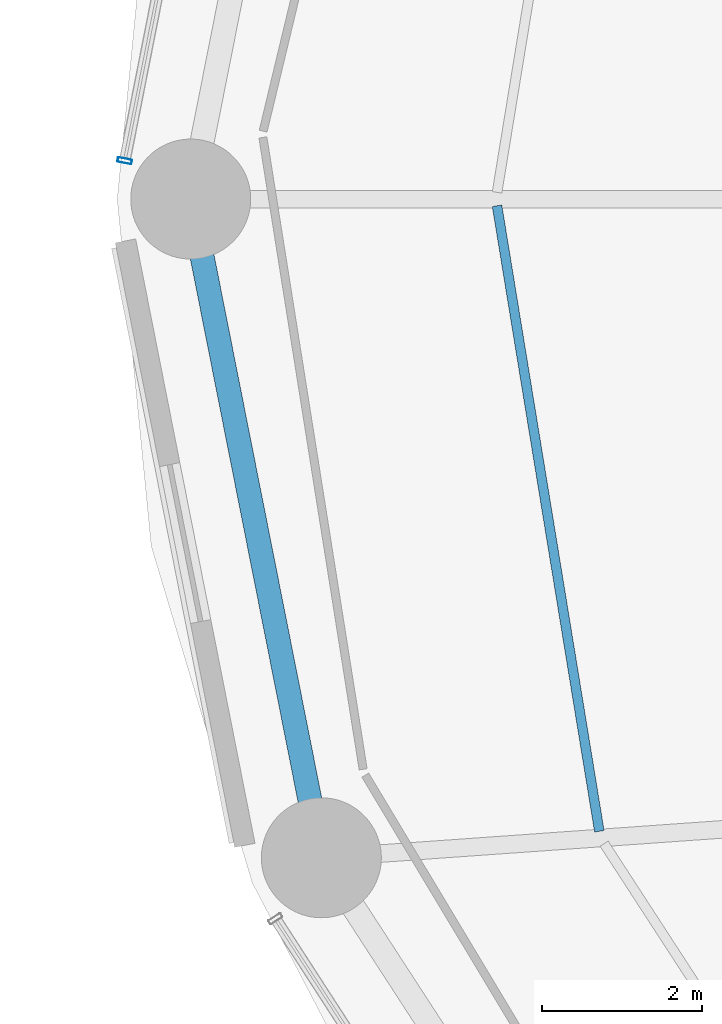
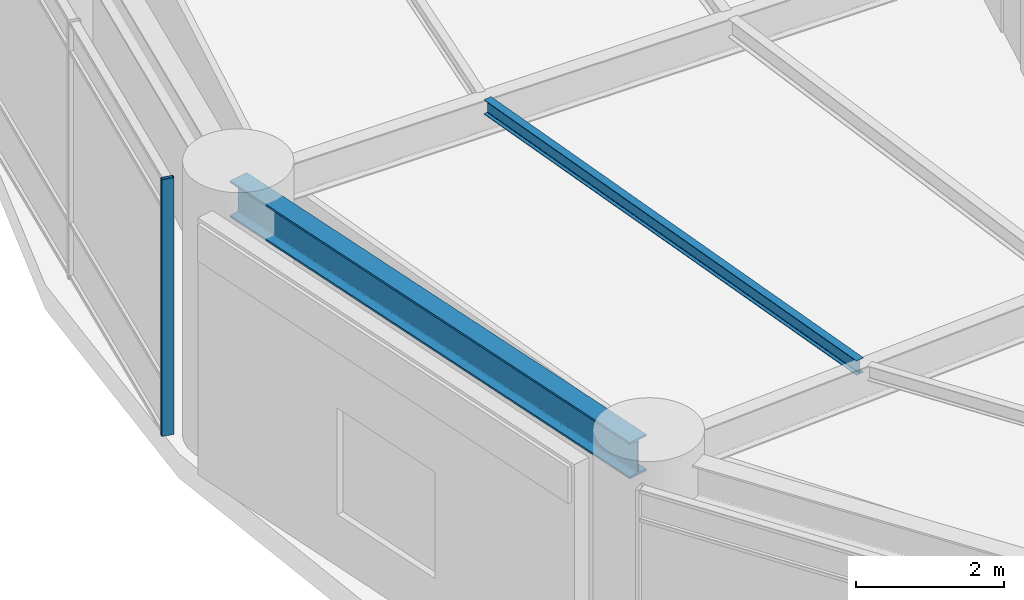
# One storey, part 12 of 46: 2 beams, 1 member, 1 element without a shape of its own.
"""IFC4 building model written with IfcOpenShell, lengths in metres."""

from ifc_helpers import new_model, si_unit, direction, frame, origin, origin_2d, place, context, subcontext, project, spatial, hollow_rectangle, i_section, extrude, material, layer, layer_set, material_profile, profile_set, type_object, element, aggregate, save


model = new_model("IFC4")

# Units and contexts
model_context = context("Model", 3, precision=1e-05, world=origin(), true_north=direction((0.0, 1.0)))
body_context = subcontext(model_context, "Body", "Model", "MODEL_VIEW")
ifc_project = project(units=[si_unit("LENGTHUNIT", "METRE"), si_unit("AREAUNIT", "SQUARE_METRE"), si_unit("VOLUMEUNIT", "CUBIC_METRE"), si_unit("PLANEANGLEUNIT", "RADIAN"), si_unit("MASSUNIT", "GRAM", prefix="KILO")], contexts=[model_context])

# Site, building, storey
site_placement = place(None, origin())
site = spatial("IfcSite", under=ifc_project, at=site_placement, CompositionType="ELEMENT")
building_placement = place(site_placement, origin())
building = spatial("IfcBuilding", under=site, at=building_placement, Name="Kelanora Arch Commons", CompositionType="ELEMENT")
storey_placement = place(building_placement, frame((0.0, 0.0, 18.0)))
storey = spatial("IfcBuildingStorey", under=building, at=storey_placement, Name="L04", CompositionType="ELEMENT", Elevation=18.0)

# Beams
ifc_material_1 = material(Name="Steel S355", Category="steel")
ifc_material_profile_1 = material_profile(ifc_material_1, i_section(OverallWidth=0.1201171875, OverallDepth=0.239990234375, WebThickness=0.006103515625, FlangeThickness=0.009765625, FilletRadius=0.014892578125, at=origin_2d()), Name="IPE240")
ifc_profile_set_1 = profile_set([ifc_material_profile_1], Name="Steel S355")
beam_type_1 = type_object("IfcBeamType", Name="BM-JST-02", PredefinedType="JOIST", material=ifc_profile_set_1)
beam_1_placement = place(storey_placement, frame((50.749755859375, 57.916015625, 4.1201171875), z_axis=(0.161400737199, -0.986888951216, 0.0), x_axis=(0.986888951216, 0.161400737199, 0.0)))
element("IfcBeam", 1, at=beam_1_placement, inside=storey, type_object=beam_type_1, Name="Secondary Chord Joist BJC-18 L04", PredefinedType="JOIST", context=body_context, shape_type="SweptSolid", body=[
    extrude(i_section(OverallWidth=0.1201171875, OverallDepth=0.239990234375, WebThickness=0.006103515625, FlangeThickness=0.009765625, FilletRadius=0.014892578125, at=origin_2d()), origin(), (0.0, 0.0, 1.0), 7.9248046875),
])
ifc_material_profile_2 = material_profile(ifc_material_1, i_section(OverallWidth=0.300048828125, OverallDepth=0.60009765625, WebThickness=0.015380859375, FlangeThickness=0.030029296875, FilletRadius=0.027099609375, at=origin_2d()), Name="HEB600")
ifc_profile_set_2 = profile_set([ifc_material_profile_2], Name="Steel S355")
beam_type_2 = type_object("IfcBeamType", Name="BM-SPN-Z1", PredefinedType="SPANDREL", material=ifc_profile_set_2)
beam_2_placement = place(storey_placement, frame((46.919921875, 58.0, 3.93994140625), z_axis=(0.194508025468, -0.980900926714, 0.0), x_axis=(0.980900926714, 0.194508025468, 0.0)))
element("IfcBeam", 2, at=beam_2_placement, inside=storey, type_object=beam_type_2, Name="Perimeter Spandrel Beam BS-18 L04", PredefinedType="SPANDREL", context=body_context, shape_type="SweptSolid", body=[
    extrude(i_section(OverallWidth=0.300048828125, OverallDepth=0.60009765625, WebThickness=0.015380859375, FlangeThickness=0.030029296875, FilletRadius=0.027099609375, at=origin_2d()), origin(), (0.0, 0.0, 1.0), 8.17626953125),
])

# Curtain wall, member
ifc_material_2 = material(Name="Terracotta ceramic-fritted low-E glass and aluminium", Category="masonry")
ifc_layer = layer(ifc_material_2, 0.2099609375)
ifc_layer_set = layer_set([ifc_layer], Name="Terracotta ceramic-fritted low-E glass and aluminium")
curtain_wall_type = type_object("IfcCurtainWallType", Name="CW-SYS-04", PredefinedType="NOTDEFINED", material=ifc_layer_set)
curtain_wall_placement = place(storey_placement, origin())
curtain_wall = element("IfcCurtainWall", 3, at=curtain_wall_placement, inside=storey, type_object=curtain_wall_type, Name="Unitised Curtain Wall L04-B08", PredefinedType="NOTDEFINED")
ifc_material_3 = material(Name="Powder-coated aluminium terracotta", Category="masonry")
ifc_material_profile_3 = material_profile(ifc_material_3, hollow_rectangle(XDim=0.179931640625, YDim=0.06005859375, WallThickness=0.0048828125, InnerFilletRadius=0.0048828125, OuterFilletRadius=0.010009765625, at=origin_2d()), Name="CWM180x60")
ifc_profile_set_3 = profile_set([ifc_material_profile_3], Name="Powder-coated aluminium terracotta")
member_type = type_object("IfcMemberType", Name="CWM-HVY", PredefinedType="MULLION", material=ifc_profile_set_3)
member_placement = place(storey_placement, frame((46.0947265625, 58.47900390625, 0.0), z_axis=(0.0, 0.0, 1.0), x_axis=(0.981053537743, -0.193736821698, 0.0)))
member = element("IfcMember", 4, at=member_placement, type_object=member_type, Name="CW-04 mullion 3", PredefinedType="MULLION", context=body_context, shape_type="SweptSolid", body=[
    extrude(hollow_rectangle(XDim=0.179931640625, YDim=0.06005859375, WallThickness=0.0048828125, InnerFilletRadius=0.0048828125, OuterFilletRadius=0.010009765625, at=origin_2d()), origin(), (0.0, 0.0, 1.0), 4.22509765625),
])
aggregate(curtain_wall, [member])

save(model, "model.ifc")
